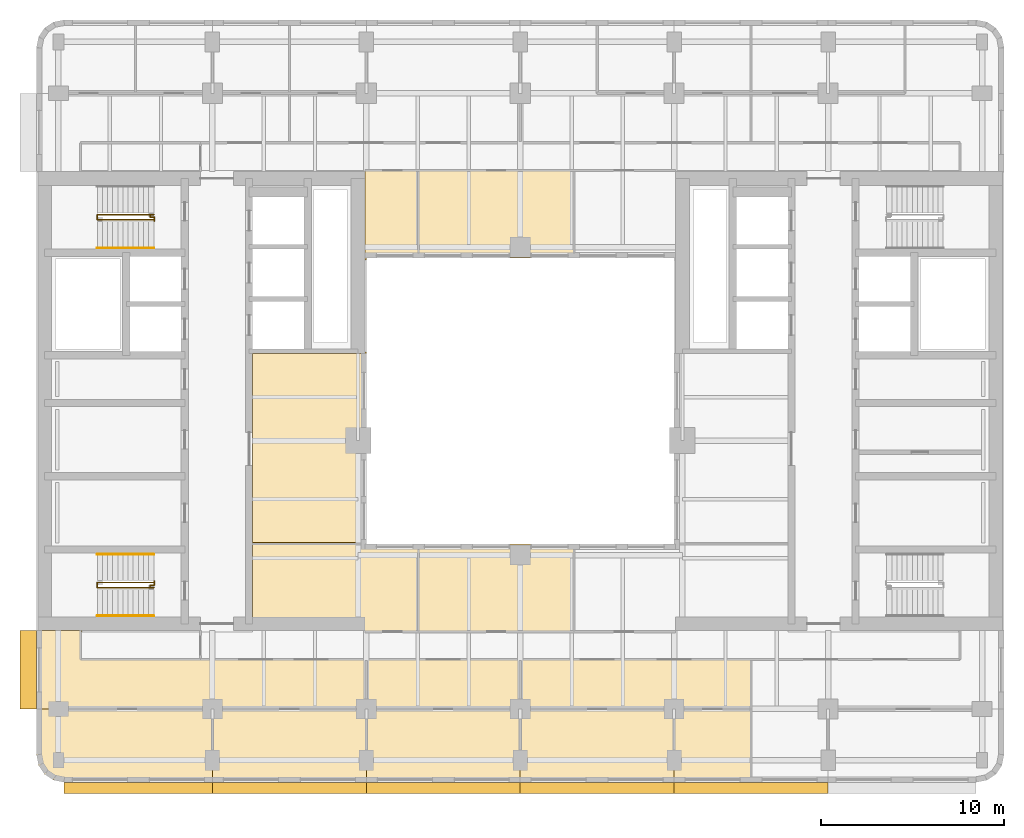
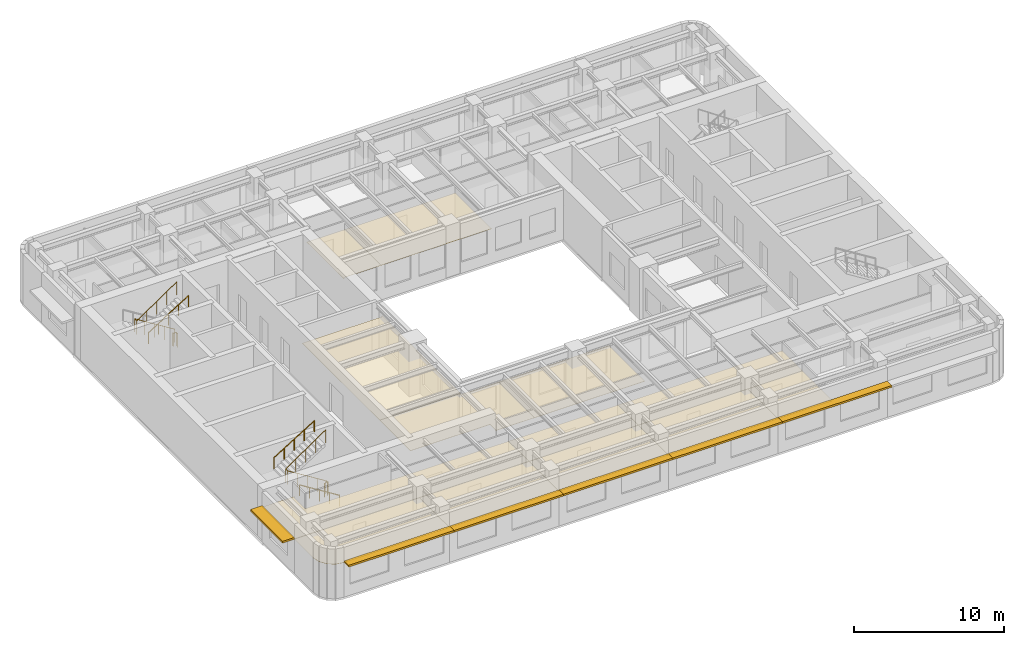
# One storey, part 9 of 11: 13 coverings, 7 railings, 6 shading devices.
"""IFC4 building model written with IfcOpenShell, lengths in metres."""

from ifc_helpers import new_model, si_unit, direction, frame, origin, origin_2d, place, context, subcontext, project, spatial, polyline, rectangle, circle, outline, extrude, material, layer, layer_set, type_object, element, save


model = new_model("IFC4")

# Units and contexts
model_context = context("Model", 3, precision=1e-05, world=origin(), true_north=direction((0.0, 1.0)))
body_context = subcontext(model_context, "Body", "Model", "MODEL_VIEW")
ifc_project = project(units=[si_unit("LENGTHUNIT", "METRE"), si_unit("AREAUNIT", "SQUARE_METRE"), si_unit("VOLUMEUNIT", "CUBIC_METRE"), si_unit("PLANEANGLEUNIT", "RADIAN"), si_unit("MASSUNIT", "GRAM", prefix="KILO")], contexts=[model_context])

# Site, building, storey
site_placement = place(None, origin())
site = spatial("IfcSite", under=ifc_project, at=site_placement, CompositionType="ELEMENT")
building_placement = place(site_placement, origin())
building = spatial("IfcBuilding", under=site, at=building_placement, Name="Claustro Exchange Tower", CompositionType="ELEMENT")
storey_placement = place(building_placement, frame((0.0, 0.0, 219.60009765625)))
storey = spatial("IfcBuildingStorey", under=building, at=storey_placement, Name="L50", CompositionType="ELEMENT", Elevation=219.60009765625)

# Coverings
ifc_material_1 = material(Name="Perforated metal ceiling tiles", Category="steel")
ifc_layer_1 = layer(ifc_material_1, 0.030029296875)
ifc_layer_set_1 = layer_set([ifc_layer_1], Name="Perforated metal ceiling tiles")
covering_type_1 = type_object("IfcCoveringType", Name="CL1 suspended metal ceiling", PredefinedType="CEILING", material=ifc_layer_set_1)
covering_1_placement = place(storey_placement, frame((0.0, 0.0, 2.7998046875)))
element("IfcCovering", 1, at=covering_1_placement, inside=storey, type_object=covering_type_1, Name="Ceiling CL1 L50-10", PredefinedType="CEILING", context=body_context, shape_type="SweptSolid", body=[
    extrude(outline(polyline([(1.199951171875, 11.10009765625), (1.199951171875, 12.60009765625), (1.294921875, 12.60009765625), (1.294921875, 12.675048828125), (-1.125, 12.675048828125), (-1.125, 12.695068359375), (-1.199951171875, 12.695068359375), (-1.199951171875, 8.39990234375), (16.800048828125, 8.39990234375), (16.800048828125, 11.10009765625), (1.199951171875, 11.10009765625)])), origin(), (0.0, 0.0, 1.0), 0.030029296875),
])
ifc_material_2 = material(Name="Gypsum board ceiling", Category="gypsum board")
ifc_layer_2 = layer(ifc_material_2, 0.02490234375)
ifc_layer_set_2 = layer_set([ifc_layer_2], Name="Gypsum board ceiling")
covering_type_2 = type_object("IfcCoveringType", Name="CL2 plasterboard ceiling", PredefinedType="CEILING", material=ifc_layer_set_2)
covering_2_placement = place(storey_placement, frame((0.0, 0.0, 2.7998046875)))
element("IfcCovering", 2, at=covering_2_placement, inside=storey, type_object=covering_type_2, Name="Ceiling CL2 L50-01", PredefinedType="CEILING", context=body_context, shape_type="SweptSolid", body=[
    extrude(outline(polyline([(-1.085693359375, 5.325927734375), (-0.7607421875, 4.83935546875), (-0.27392578125, 4.51416015625), (0.300048828125, 4.39990234375), (8.39990234375, 4.39990234375), (8.39990234375, 8.39990234375), (-1.199951171875, 8.39990234375), (-1.199951171875, 5.89990234375), (-1.085693359375, 5.325927734375)])), origin(), (0.0, 0.0, 1.0), 0.025146484375),
])
covering_3_placement = place(storey_placement, frame((0.0, 0.0, 2.7998046875)))
element("IfcCovering", 3, at=covering_3_placement, inside=storey, type_object=covering_type_2, Name="Ceiling CL2 L50-02", PredefinedType="CEILING", context=body_context, shape_type="SweptSolid", body=[
    extrude(outline(polyline([(8.39990234375, 4.39990234375), (16.800048828125, 4.39990234375), (16.800048828125, 8.39990234375), (8.39990234375, 8.39990234375), (8.39990234375, 4.39990234375)])), origin(), (0.0, 0.0, 1.0), 0.025146484375),
])
covering_4_placement = place(storey_placement, frame((0.0, 0.0, 2.7998046875)))
element("IfcCovering", 4, at=covering_4_placement, inside=storey, type_object=covering_type_2, Name="Ceiling CL2 L50-03", PredefinedType="CEILING", context=body_context, shape_type="SweptSolid", body=[
    extrude(outline(polyline([(16.800048828125, 4.39990234375), (25.199951171875, 4.39990234375), (25.199951171875, 8.39990234375), (16.800048828125, 8.39990234375), (16.800048828125, 4.39990234375)])), origin(), (0.0, 0.0, 1.0), 0.025146484375),
])
covering_5_placement = place(storey_placement, frame((0.0, 0.0, 2.7998046875)))
element("IfcCovering", 5, at=covering_5_placement, inside=storey, type_object=covering_type_2, Name="Ceiling CL2 L50-04", PredefinedType="CEILING", context=body_context, shape_type="SweptSolid", body=[
    extrude(outline(polyline([(25.199951171875, 4.39990234375), (33.60009765625, 4.39990234375), (33.60009765625, 8.39990234375), (25.199951171875, 8.39990234375), (25.199951171875, 4.39990234375)])), origin(), (0.0, 0.0, 1.0), 0.025146484375),
])
covering_6_placement = place(storey_placement, frame((0.0, 0.0, 2.7998046875)))
element("IfcCovering", 6, at=covering_6_placement, inside=storey, type_object=covering_type_2, Name="Ceiling CL2 L50-05", PredefinedType="CEILING", context=body_context, shape_type="SweptSolid", body=[
    extrude(outline(polyline([(33.60009765625, 4.39990234375), (37.800048828125, 4.39990234375), (37.800048828125, 8.39990234375), (33.60009765625, 8.39990234375), (33.60009765625, 4.39990234375)])), origin(), (0.0, 0.0, 1.0), 0.025146484375),
])
covering_7_placement = place(storey_placement, frame((0.0, 0.0, 2.7998046875)))
element("IfcCovering", 7, at=covering_7_placement, inside=storey, type_object=covering_type_2, Name="Ceiling CL2 L50-08", PredefinedType="CEILING", context=body_context, shape_type="SweptSolid", body=[
    extrude(outline(polyline([(16.800048828125, 8.39990234375), (25.199951171875, 8.39990234375), (25.199951171875, 11.10009765625), (16.800048828125, 11.10009765625), (16.800048828125, 8.39990234375)])), origin(), (0.0, 0.0, 1.0), 0.025146484375),
])
covering_8_placement = place(storey_placement, frame((0.0, 0.0, 2.7998046875)))
element("IfcCovering", 8, at=covering_8_placement, inside=storey, type_object=covering_type_2, Name="Ceiling CL2 L50-09", PredefinedType="CEILING", context=body_context, shape_type="SweptSolid", body=[
    extrude(outline(polyline([(33.60009765625, 8.39990234375), (37.800048828125, 8.39990234375), (37.800048828125, 11.10009765625), (25.199951171875, 11.10009765625), (25.199951171875, 8.39990234375), (33.60009765625, 8.39990234375)])), origin(), (0.0, 0.0, 1.0), 0.025146484375),
])
covering_9_placement = place(storey_placement, frame((0.0, 0.0, 2.7998046875)))
element("IfcCovering", 9, at=covering_9_placement, inside=storey, type_object=covering_type_2, Name="Ceiling CL2 L50-13", PredefinedType="CEILING", context=body_context, shape_type="SweptSolid", body=[
    extrude(outline(polyline([(28.1298828125, 17.39990234375), (19.64990234375, 17.39990234375), (19.64990234375, 12.60009765625), (28.1298828125, 12.60009765625), (28.1298828125, 17.39990234375)])), origin(), (0.0, 0.0, 1.0), 0.025146484375),
])
covering_10_placement = place(storey_placement, frame((0.0, 0.0, 2.7998046875)))
element("IfcCovering", 10, at=covering_10_placement, inside=storey, type_object=covering_type_2, Name="Ceiling CL2 L50-15", PredefinedType="CEILING", context=body_context, shape_type="SweptSolid", body=[
    extrude(outline(polyline([(19.64990234375, 17.39990234375), (16.800048828125, 17.39990234375), (16.800048828125, 17.4951171875), (10.60009765625, 17.4951171875), (10.60009765625, 13.405029296875), (16.705078125, 13.405029296875), (16.705078125, 12.60009765625), (19.64990234375, 12.60009765625), (19.64990234375, 17.39990234375)])), origin(), (0.0, 0.0, 1.0), 0.025146484375),
])
covering_11_placement = place(storey_placement, frame((0.0, 0.0, 2.7998046875)))
element("IfcCovering", 11, at=covering_11_placement, inside=storey, type_object=covering_type_2, Name="Ceiling CL2 L50-16", PredefinedType="CEILING", context=body_context, shape_type="SweptSolid", body=[
    extrude(outline(polyline([(10.60009765625, 27.800048828125), (10.60009765625, 17.304931640625), (16.800048828125, 17.304931640625), (16.800048828125, 27.89501953125), (16.72509765625, 27.89501953125), (16.72509765625, 27.800048828125), (10.60009765625, 27.800048828125)])), origin(), (0.0, 0.0, 1.0), 0.025146484375),
])
covering_12_placement = place(storey_placement, frame((0.0, 0.0, 2.7998046875)))
element("IfcCovering", 12, at=covering_12_placement, inside=storey, type_object=covering_type_2, Name="Ceiling CL2 L50-18", PredefinedType="CEILING", context=body_context, shape_type="SweptSolid", body=[
    extrude(outline(polyline([(19.64990234375, 37.800048828125), (16.705078125, 37.800048828125), (16.705078125, 37.72509765625), (16.72509765625, 37.72509765625), (16.72509765625, 32.905029296875), (16.800048828125, 32.905029296875), (16.800048828125, 33.0), (19.64990234375, 33.0), (19.64990234375, 37.800048828125)])), origin(), (0.0, 0.0, 1.0), 0.025146484375),
])
covering_13_placement = place(storey_placement, frame((0.0, 0.0, 2.7998046875)))
element("IfcCovering", 13, at=covering_13_placement, inside=storey, type_object=covering_type_2, Name="Ceiling CL2 L50-19", PredefinedType="CEILING", context=body_context, shape_type="SweptSolid", body=[
    extrude(outline(polyline([(19.64990234375, 33.0), (28.1298828125, 33.0), (28.1298828125, 37.800048828125), (19.64990234375, 37.800048828125), (19.64990234375, 33.0)])), origin(), (0.0, 0.0, 1.0), 0.025146484375),
])

# Railings
ifc_material_3 = material(Name="Steel balustrade, painted", Category="steel")
railing_type_1 = type_object("IfcRailingType", Name="GR2 1100 steel stair guard", PredefinedType="GUARDRAIL", material=ifc_material_3)
railing_1_placement = place(storey_placement, frame((5.199951171875, 15.02490234375, 0.1748046875)))
element("IfcRailing", 14, at=railing_1_placement, inside=storey, type_object=railing_type_1, Name="Stair well guard GR2 stair STWA L50", PredefinedType="GUARDRAIL", context=body_context, shape_type="SweptSolid", body=[
    extrude(circle(Radius=0.02392578125, at=origin_2d()), frame((0.0, 0.0, 1.076171875), z_axis=(-0.847979421464, 0.0, 0.530029150871), x_axis=(0.0, -1.0, 0.0)), (0.0, 0.0, 1.0), 3.632080078125),
    extrude(circle(Radius=0.02392578125, at=origin_2d()), frame((-3.079833984375, 0.0, 3.0009765625), z_axis=(0.0, 1.0, 0.0), x_axis=(-1.0, 0.0, 0.0)), (0.0, 0.0, 1.0), 0.275146484375),
    extrude(circle(Radius=0.02392578125, at=origin_2d()), frame((-3.079833984375, 0.275146484375, 3.0009765625), z_axis=(0.826201015165, 0.0, 0.563375436579), x_axis=(0.0, 1.0, 0.0)), (0.0, 0.0, 1.0), 3.727783203125),
    extrude(circle(Radius=0.02099609375, at=origin_2d()), origin(), (0.0, 0.0, 1.0), 1.052001953125),
    extrude(circle(Radius=0.02099609375, at=origin_2d()), frame((-0.77001953125, 0.0, 0.481201171875)), (0.0, 0.0, 1.0), 1.052001953125),
    extrude(circle(Radius=0.02099609375, at=origin_2d()), frame((-1.5400390625, 0.0, 0.96240234375)), (0.0, 0.0, 1.0), 1.052001953125),
    extrude(circle(Radius=0.02099609375, at=origin_2d()), frame((-2.309814453125, 0.0, 1.44384765625)), (0.0, 0.0, 1.0), 1.052001953125),
    extrude(circle(Radius=0.02099609375, at=origin_2d()), frame((-3.079833984375, 0.0, 1.925048828125)), (0.0, 0.0, 1.0), 1.052001953125),
    extrude(circle(Radius=0.02099609375, at=origin_2d()), frame((-3.079833984375, 0.275146484375, 1.925048828125)), (0.0, 0.0, 1.0), 1.052001953125),
    extrude(circle(Radius=0.02099609375, at=origin_2d()), frame((-2.309814453125, 0.275146484375, 2.4501953125)), (0.0, 0.0, 1.0), 1.052001953125),
    extrude(circle(Radius=0.02099609375, at=origin_2d()), frame((-1.5400390625, 0.275146484375, 2.97509765625)), (0.0, 0.0, 1.0), 1.052001953125),
    extrude(circle(Radius=0.02099609375, at=origin_2d()), frame((-0.77001953125, 0.275146484375, 3.5)), (0.0, 0.0, 1.0), 1.052001953125),
    extrude(circle(Radius=0.02099609375, at=origin_2d()), frame((0.0, 0.275146484375, 4.025146484375)), (0.0, 0.0, 1.0), 1.052001953125),
])
railing_2_placement = place(storey_placement, frame((5.0, 15.094970703125, 0.0)))
element("IfcRailing", 15, at=railing_2_placement, inside=storey, type_object=railing_type_1, Name="Stair guard GR2 STWA L50", PredefinedType="GUARDRAIL", context=body_context, shape_type="SweptSolid", body=[
    extrude(circle(Radius=0.02392578125, at=origin_2d()), frame((0.0, 0.0, 1.076171875), z_axis=(0.0, 1.0, 0.0), x_axis=(-1.0, 0.0, 0.0)), (0.0, 0.0, 1.0), 0.067626953125),
    extrude(circle(Radius=0.02392578125, at=origin_2d()), frame((0.0, 0.067626953125, 1.076171875), z_axis=(1.0, 0.0, 0.0), x_axis=(0.0, 1.0, 0.0)), (0.0, 0.0, 1.0), 0.22509765625),
    extrude(circle(Radius=0.02392578125, at=origin_2d()), frame((0.22509765625, 0.067626953125, 1.076171875), z_axis=(0.0, 1.0, 0.0), x_axis=(-1.0, 0.0, 0.0)), (0.0, 0.0, 1.0), 0.21728515625),
    extrude(circle(Radius=0.02099609375, at=origin_2d()), origin(), (0.0, 0.0, 1.0), 1.052001953125),
    extrude(circle(Radius=0.02099609375, at=origin_2d()), frame((0.0, 0.067626953125, 0.0)), (0.0, 0.0, 1.0), 1.052001953125),
    extrude(circle(Radius=0.02099609375, at=origin_2d()), frame((0.22509765625, 0.067626953125, 0.0)), (0.0, 0.0, 1.0), 1.052001953125),
    extrude(circle(Radius=0.02099609375, at=origin_2d()), frame((0.22509765625, 0.284912109375, 0.0)), (0.0, 0.0, 1.0), 1.052001953125),
])
railing_3_placement = place(storey_placement, frame((5.199951171875, 35.375, 0.1748046875)))
element("IfcRailing", 16, at=railing_3_placement, inside=storey, type_object=railing_type_1, Name="Stair well guard GR2 stair STWB L50", PredefinedType="GUARDRAIL", context=body_context, shape_type="SweptSolid", body=[
    extrude(circle(Radius=0.02392578125, at=origin_2d()), frame((0.0, 0.0, 1.076171875), z_axis=(-0.847979421464, 0.0, 0.530029150871), x_axis=(0.0, -1.0, 0.0)), (0.0, 0.0, 1.0), 3.632080078125),
    extrude(circle(Radius=0.02392578125, at=origin_2d()), frame((-3.079833984375, 0.0, 3.0009765625), z_axis=(0.0, -1.0, 0.0), x_axis=(1.0, 0.0, 0.0)), (0.0, 0.0, 1.0), 0.27490234375),
    extrude(circle(Radius=0.02392578125, at=origin_2d()), frame((-3.079833984375, -0.27490234375, 3.0009765625), z_axis=(0.826201015165, 0.0, 0.563375436579), x_axis=(0.0, 1.0, 0.0)), (0.0, 0.0, 1.0), 3.727783203125),
    extrude(circle(Radius=0.02099609375, at=origin_2d()), origin(), (0.0, 0.0, 1.0), 1.052001953125),
    extrude(circle(Radius=0.02099609375, at=origin_2d()), frame((-0.77001953125, 0.0, 0.481201171875)), (0.0, 0.0, 1.0), 1.052001953125),
    extrude(circle(Radius=0.02099609375, at=origin_2d()), frame((-1.5400390625, 0.0, 0.96240234375)), (0.0, 0.0, 1.0), 1.052001953125),
    extrude(circle(Radius=0.02099609375, at=origin_2d()), frame((-2.309814453125, 0.0, 1.44384765625)), (0.0, 0.0, 1.0), 1.052001953125),
    extrude(circle(Radius=0.02099609375, at=origin_2d()), frame((-3.079833984375, 0.0, 1.925048828125)), (0.0, 0.0, 1.0), 1.052001953125),
    extrude(circle(Radius=0.02099609375, at=origin_2d()), frame((-3.079833984375, -0.27490234375, 1.925048828125)), (0.0, 0.0, 1.0), 1.052001953125),
    extrude(circle(Radius=0.02099609375, at=origin_2d()), frame((-2.309814453125, -0.27490234375, 2.4501953125)), (0.0, 0.0, 1.0), 1.052001953125),
    extrude(circle(Radius=0.02099609375, at=origin_2d()), frame((-1.5400390625, -0.27490234375, 2.97509765625)), (0.0, 0.0, 1.0), 1.052001953125),
    extrude(circle(Radius=0.02099609375, at=origin_2d()), frame((-0.77001953125, -0.27490234375, 3.5)), (0.0, 0.0, 1.0), 1.052001953125),
    extrude(circle(Radius=0.02099609375, at=origin_2d()), frame((0.0, -0.27490234375, 4.025146484375)), (0.0, 0.0, 1.0), 1.052001953125),
])
railing_4_placement = place(storey_placement, frame((5.0, 35.304931640625, 0.0)))
element("IfcRailing", 17, at=railing_4_placement, inside=storey, type_object=railing_type_1, Name="Stair guard GR2 STWB L50", PredefinedType="GUARDRAIL", context=body_context, shape_type="SweptSolid", body=[
    extrude(circle(Radius=0.02392578125, at=origin_2d()), frame((0.0, 0.0, 1.076171875), z_axis=(0.0, -1.0, 0.0), x_axis=(1.0, 0.0, 0.0)), (0.0, 0.0, 1.0), 0.0673828125),
    extrude(circle(Radius=0.02392578125, at=origin_2d()), frame((0.0, -0.0673828125, 1.076171875), z_axis=(1.0, 0.0, 0.0), x_axis=(0.0, 1.0, 0.0)), (0.0, 0.0, 1.0), 0.22509765625),
    extrude(circle(Radius=0.02392578125, at=origin_2d()), frame((0.22509765625, -0.0673828125, 1.076171875), z_axis=(0.0, -1.0, 0.0), x_axis=(1.0, 0.0, 0.0)), (0.0, 0.0, 1.0), 0.217529296875),
    extrude(circle(Radius=0.02099609375, at=origin_2d()), origin(), (0.0, 0.0, 1.0), 1.052001953125),
    extrude(circle(Radius=0.02099609375, at=origin_2d()), frame((0.0, -0.0673828125, 0.0)), (0.0, 0.0, 1.0), 1.052001953125),
    extrude(circle(Radius=0.02099609375, at=origin_2d()), frame((0.22509765625, -0.0673828125, 0.0)), (0.0, 0.0, 1.0), 1.052001953125),
    extrude(circle(Radius=0.02099609375, at=origin_2d()), frame((0.22509765625, -0.284912109375, 0.0)), (0.0, 0.0, 1.0), 1.052001953125),
])
ifc_material_4 = material(Name="Stainless steel tube", Category="steel")
railing_type_2 = type_object("IfcRailingType", Name="HR1 900 stair handrail", PredefinedType="HANDRAIL", material=ifc_material_4)
railing_5_placement = place(storey_placement, frame((5.199951171875, 13.485107421875, 0.1748046875)))
element("IfcRailing", 18, at=railing_5_placement, inside=storey, type_object=railing_type_2, Name="Handrail HR1 stair STWA L50", PredefinedType="HANDRAIL", context=body_context, shape_type="SweptSolid", body=[
    extrude(circle(Radius=0.02392578125, at=origin_2d()), frame((0.0, 0.0, 0.8759765625), z_axis=(-0.847979421464, 0.0, 0.530029150871), x_axis=(0.0, -1.0, 0.0)), (0.0, 0.0, 1.0), 3.632080078125),
    extrude(circle(Radius=0.02099609375, at=origin_2d()), origin(), (0.0, 0.0, 1.0), 0.851806640625),
    extrude(circle(Radius=0.02099609375, at=origin_2d()), frame((-0.77001953125, 0.0, 0.481201171875)), (0.0, 0.0, 1.0), 0.851806640625),
    extrude(circle(Radius=0.02099609375, at=origin_2d()), frame((-1.5400390625, 0.0, 0.96240234375)), (0.0, 0.0, 1.0), 0.851806640625),
    extrude(circle(Radius=0.02099609375, at=origin_2d()), frame((-2.309814453125, 0.0, 1.44384765625)), (0.0, 0.0, 1.0), 0.851806640625),
    extrude(circle(Radius=0.02099609375, at=origin_2d()), frame((-3.079833984375, 0.0, 1.925048828125)), (0.0, 0.0, 1.0), 0.851806640625),
])
for number, where, name in (
    (19, (2.1201171875, 16.840087890625, 2.27490234375), "Handrail HR1 stair STWA L50"),
    (20, (2.1201171875, 33.56005859375, 2.27490234375), "Handrail HR1 stair STWB L50"),
):
    element("IfcRailing", number, at=place(storey_placement, frame(where)), inside=storey, type_object=railing_type_2, Name=name, PredefinedType="HANDRAIL", context=body_context, shape_type="SweptSolid", body=[
        extrude(circle(Radius=0.02392578125, at=origin_2d()), frame((0.0, 0.0, 0.8759765625), z_axis=(0.847979421464, 0.0, 0.530029150871), x_axis=(0.0, 1.0, 0.0)), (0.0, 0.0, 1.0), 3.632080078125),
        extrude(circle(Radius=0.02099609375, at=origin_2d()), origin(), (0.0, 0.0, 1.0), 0.851806640625),
        extrude(circle(Radius=0.02099609375, at=origin_2d()), frame((0.77001953125, 0.0, 0.481201171875)), (0.0, 0.0, 1.0), 0.851806640625),
        extrude(circle(Radius=0.02099609375, at=origin_2d()), frame((1.5400390625, 0.0, 0.96240234375)), (0.0, 0.0, 1.0), 0.851806640625),
        extrude(circle(Radius=0.02099609375, at=origin_2d()), frame((2.309814453125, 0.0, 1.44384765625)), (0.0, 0.0, 1.0), 0.851806640625),
        extrude(circle(Radius=0.02099609375, at=origin_2d()), frame((3.079833984375, 0.0, 1.925048828125)), (0.0, 0.0, 1.0), 0.851806640625),
    ])

# Shading devices
ifc_material_5 = material(Name="Concrete HA-40 (C40/50), precast, white cement, acid-etched", Category="concrete")
ifc_layer_3 = layer(ifc_material_5, 0.14990234375)
ifc_layer_set_3 = layer_set([ifc_layer_3], Name="Concrete HA-40 (C40/50), precast, white cement, acid-etched")
shading_device_type_1 = type_object("IfcShadingDeviceType", Name="SS1 600 precast concrete SUNSHADE", PredefinedType="SHUTTER", material=ifc_layer_set_3)
for number, where, z_axis, x_axis, name in (
    (21, (37.800048828125, 4.10009765625, 2.800048828125), (0.0, 0.0, 1.0), (-1.0, 0.0, 0.0), "Precast SUNSHADE SS1 L50"),
    (22, (29.39990234375, 4.10009765625, 2.800048828125), (0.0, 0.0, 1.0), (-1.0, 0.0, 0.0), "Precast SUNSHADE SS1 L50"),
    (23, (21.0, 4.10009765625, 2.800048828125), (0.0, 0.0, 1.0), (-1.0, 0.0, 0.0), "Precast SUNSHADE SS1 L50"),
    (24, (12.60009765625, 4.10009765625, 2.800048828125), (0.0, 0.0, 1.0), (-1.0, 0.0, 0.0), "Precast SUNSHADE SS1 L50"),
):
    element("IfcShadingDevice", number, at=place(storey_placement, frame(where, z_axis=z_axis, x_axis=x_axis)), inside=storey, type_object=shading_device_type_1, Name=name, PredefinedType="SHUTTER", context=body_context, shape_type="SweptSolid", body=[
        extrude(rectangle(XDim=8.39990234375, YDim=0.60009765625, at=origin_2d()), origin(), (0.0, 0.0, 1.0), 0.14990234375),
    ])
shading_device_1_placement = place(storey_placement, frame((4.357421875, 4.10009765625, 2.800048828125), z_axis=(0.0, 0.0, 1.0), x_axis=(-1.0, 0.0, 0.0)))
element("IfcShadingDevice", 25, at=shading_device_1_placement, inside=storey, type_object=shading_device_type_1, Name="Precast SUNSHADE SS1 L50", PredefinedType="SHUTTER", context=body_context, shape_type="SweptSolid", body=[
    extrude(rectangle(XDim=8.085205078125, YDim=0.60009765625, at=origin_2d()), origin(), (0.0, 0.0, 1.0), 0.14990234375),
])
ifc_material_6 = material(Name="Concrete HA-40 (C40/50), precast, white cement, acid-etched", Category="concrete")
ifc_layer_4 = layer(ifc_material_6, 0.14990234375)
ifc_layer_set_4 = layer_set([ifc_layer_4], Name="Concrete HA-40 (C40/50), precast, white cement, acid-etched")
shading_device_type_2 = type_object("IfcShadingDeviceType", Name="SS2 900 precast concrete SUNSHADE", PredefinedType="SHUTTER", material=ifc_layer_set_4)
shading_device_2_placement = place(storey_placement, frame((-1.64990234375, 10.53759765625, 2.800048828125), z_axis=(0.0, 0.0, 1.0), x_axis=(0.0, 1.0, 0.0)))
element("IfcShadingDevice", 26, at=shading_device_2_placement, inside=storey, type_object=shading_device_type_2, Name="Precast SUNSHADE SS2 L50", PredefinedType="SHUTTER", context=body_context, shape_type="SweptSolid", body=[
    extrude(rectangle(XDim=4.27490234375, YDim=0.89990234375, at=origin_2d()), origin(), (0.0, 0.0, 1.0), 0.14990234375),
])

save(model, "model.ifc")
